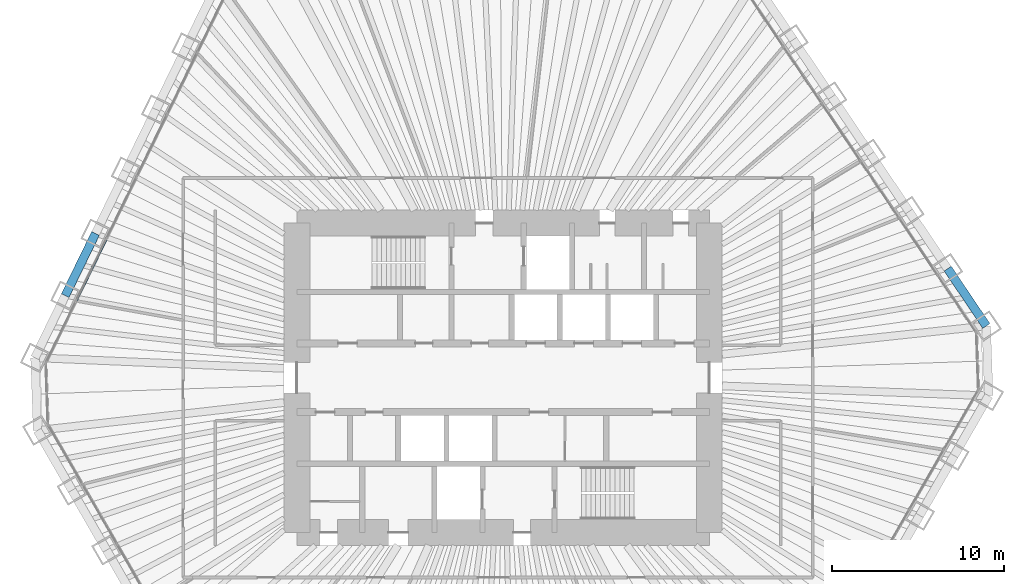
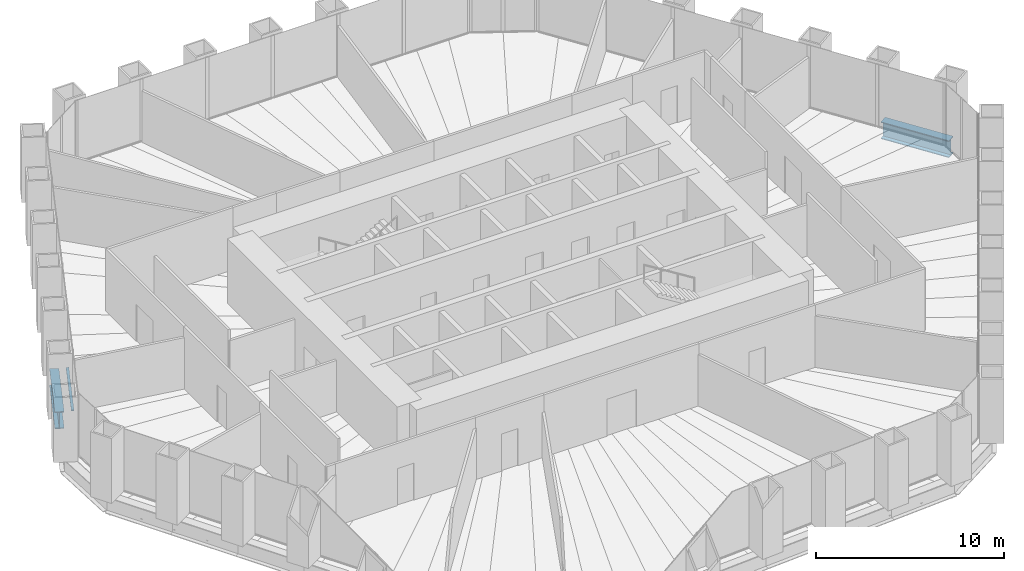
# One storey, part 5 of 13: 2 beams, 1 member, 1 element without a shape of its own.
"""IFC4 building model written with IfcOpenShell, lengths in metres."""

from ifc_helpers import new_model, si_unit, direction, frame, origin, origin_2d, place, context, subcontext, project, spatial, rectangle, i_section, extrude, material, material_profile, profile_set, type_object, element, aggregate, save


model = new_model("IFC4")

# Units and contexts
model_context = context("Model", 3, precision=1e-05, world=origin(), true_north=direction((0.0, 1.0)))
body_context = subcontext(model_context, "Body", "Model", "MODEL_VIEW")
ifc_project = project(units=[si_unit("LENGTHUNIT", "METRE"), si_unit("AREAUNIT", "SQUARE_METRE"), si_unit("VOLUMEUNIT", "CUBIC_METRE"), si_unit("PLANEANGLEUNIT", "RADIAN"), si_unit("MASSUNIT", "GRAM", prefix="KILO")], contexts=[model_context])

# Site, building, storey
site_placement = place(None, origin())
site = spatial("IfcSite", under=ifc_project, at=site_placement, CompositionType="ELEMENT")
building_placement = place(site_placement, origin())
building = spatial("IfcBuilding", under=site, at=building_placement, Name="Qingtian Harvest Tower", CompositionType="ELEMENT")
storey_placement = place(building_placement, frame((0.0, 0.0, 153.39990234375)))
storey = spatial("IfcBuildingStorey", under=building, at=storey_placement, Name="L32", CompositionType="ELEMENT", Elevation=153.39990234375)

# Beams
ifc_material_1 = material(Name="Steel SM570MC", Category="steel")
ifc_material_profile_1 = material_profile(ifc_material_1, i_section(OverallWidth=0.5, OverallDepth=1.10009765625, WebThickness=0.02490234375, FlangeThickness=0.050048828125, at=origin_2d()), Name="H1100x500x25x50")
ifc_profile_set_1 = profile_set([ifc_material_profile_1], Name="Steel SM570MC")
beam_type = type_object("IfcBeamType", Name="Spandrel beam SB2 H1100x500x25x50", PredefinedType="SPANDREL", material=ifc_profile_set_1)
for number, where, z_axis, x_axis, name in (
    (1, (25.8720703125, 6.3505859375, -0.5498046875), (0.55916400171, -0.829057066306, 0.0), (0.829057066306, 0.55916400171, 0.0), "Spandrel SB2 NE5"),
    (2, (-25.483154296875, 4.78125, -0.5498046875), (0.438396105405, 0.89878187274, 0.0), (-0.89878187274, 0.438396105405, 0.0), "Spandrel SB2 NW1"),
):
    element("IfcBeam", number, at=place(storey_placement, frame(where, z_axis=z_axis, x_axis=x_axis)), inside=storey, type_object=beam_type, Name=name, PredefinedType="SPANDREL", context=body_context, shape_type="SweptSolid", body=[
        extrude(i_section(OverallWidth=0.5, OverallDepth=1.10009765625, WebThickness=0.02490234375, FlangeThickness=0.050048828125, at=origin_2d()), origin(), (0.0, 0.0, 1.0), 4.01904296875),
    ])

# Curtain wall, member
ifc_material_2 = material(Name="Bronze-anodised aluminium curtain wall", Category="aluminium")
curtain_wall_type = type_object("IfcCurtainWallType", Name="Curtain wall CW4 office", PredefinedType="USERDEFINED", material=ifc_material_2)
curtain_wall_placement = place(storey_placement, origin())
curtain_wall = element("IfcCurtainWall", 3, at=curtain_wall_placement, inside=storey, type_object=curtain_wall_type, Name="Curtain wall CW4 L32 NW0-5", ObjectType="RECESSED CURTAIN WALL", PredefinedType="USERDEFINED")
ifc_material_3 = material(Name="Bronze-anodised aluminium transom", Category="aluminium")
ifc_material_profile_2 = material_profile(ifc_material_3, rectangle(XDim=0.14990234375, YDim=0.06494140625, at=origin_2d()), Name="AL 65x150")
ifc_profile_set_2 = profile_set([ifc_material_profile_2], Name="Bronze-anodised aluminium transom")
member_type = type_object("IfcMemberType", Name="Transom CWT 65x150", PredefinedType="USERDEFINED", material=ifc_profile_set_2)
member_placement = place(storey_placement, frame((-24.839599609375, 4.503662109375, 0.03271484375), z_axis=(0.438374972828, 0.898792180205, 0.0), x_axis=(-0.898792180205, 0.438374972828, 0.0)))
member = element("IfcMember", 4, at=member_placement, type_object=member_type, Name="CW4 transom 2.1", ObjectType="TRANSOM", PredefinedType="USERDEFINED", context=body_context, shape_type="SweptSolid", body=[
    extrude(rectangle(XDim=0.14990234375, YDim=0.06494140625, at=origin_2d()), origin(), (0.0, 0.0, 1.0), 3.9541015625),
])
aggregate(curtain_wall, [member])

save(model, "model.ifc")
